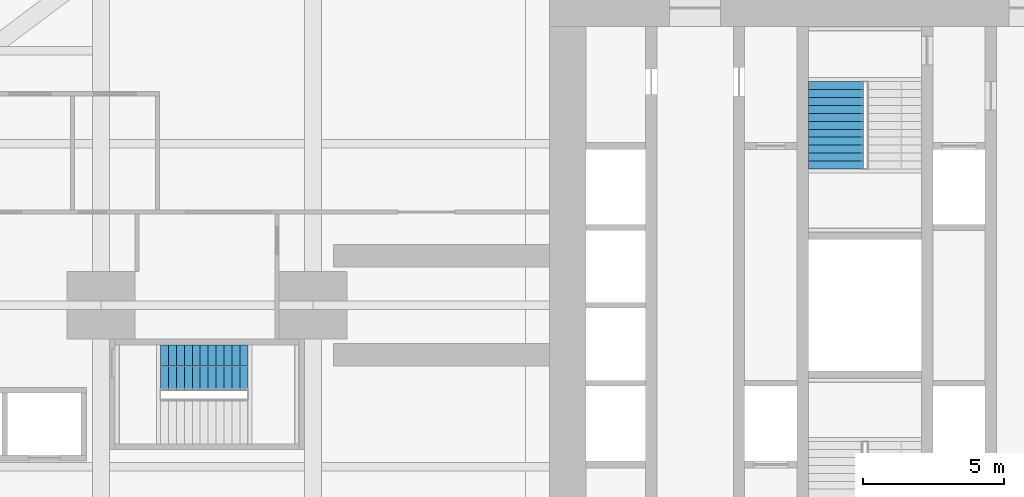
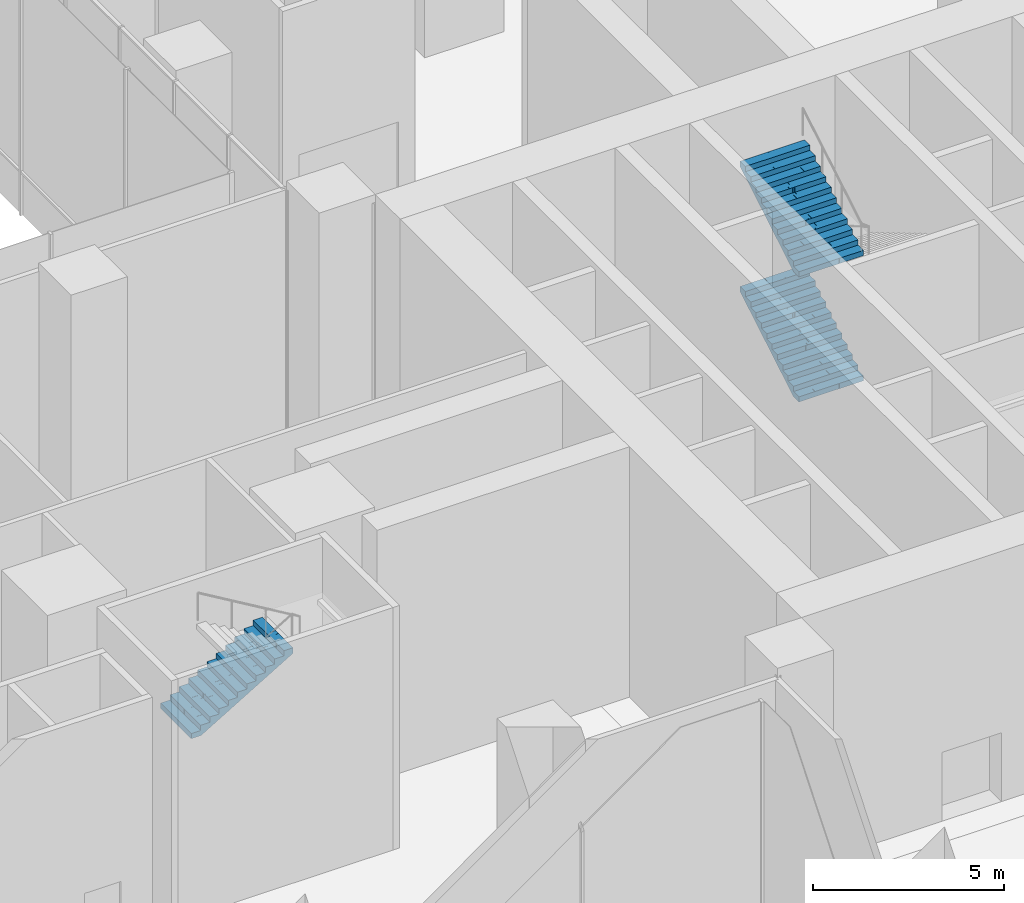
# One storey, part 22 of 25: 3 stair flights, 2 elements without a shape of their own.
"""IFC4 building model written with IfcOpenShell, lengths in metres."""

from ifc_helpers import new_model, si_unit, direction, frame, origin, place, context, subcontext, project, spatial, polyline, outline, extrude, material, type_object, element, aggregate, save


model = new_model("IFC4")

# Units and contexts
model_context = context("Model", 3, precision=1e-05, world=origin(), true_north=direction((0.0, 1.0)))
body_context = subcontext(model_context, "Body", "Model", "MODEL_VIEW")
ifc_project = project(units=[si_unit("LENGTHUNIT", "METRE"), si_unit("AREAUNIT", "SQUARE_METRE"), si_unit("VOLUMEUNIT", "CUBIC_METRE"), si_unit("PLANEANGLEUNIT", "RADIAN"), si_unit("MASSUNIT", "GRAM", prefix="KILO")], contexts=[model_context])

# Site, building, storey
site_placement = place(None, origin())
site = spatial("IfcSite", under=ifc_project, at=site_placement, CompositionType="ELEMENT")
building_placement = place(site_placement, origin())
building = spatial("IfcBuilding", under=site, at=building_placement, Name="Mizan Broadcast Tower", CompositionType="ELEMENT")
storey_placement = place(building_placement, frame((0.0, 0.0, 15.0)))
storey = spatial("IfcBuildingStorey", under=building, at=storey_placement, Name="L02", CompositionType="ELEMENT", Elevation=15.0)

# Stair, stair flights
ifc_material_1 = material(Name="Concrete C40/50", Category="concrete")
stair_type = type_object("IfcStairType", Name="EXIT STAIR", PredefinedType="HALF_TURN_STAIR", material=ifc_material_1)
stair_1_placement = place(storey_placement, origin())
stair_1 = element("IfcStair", 1, at=stair_1_placement, inside=storey, type_object=stair_type, Name="Stair B L02", PredefinedType="HALF_TURN_STAIR")
ifc_material_2 = material(Name="Concrete C40/50", Category="concrete")
stair_flight_type = type_object("IfcStairFlightType", Name="EXIT STAIR FLIGHT", PredefinedType="STRAIGHT", material=ifc_material_2)
stair_flight_1_placement = place(storey_placement, frame((-1.02490234375, 4.820068359375, 2.0), z_axis=(0.0, 0.0, 1.0), x_axis=(0.0, 1.0, 0.0)))
stair_flight_1 = element("IfcStairFlight", 2, at=stair_flight_1_placement, type_object=stair_flight_type, Name="B flight 2", NumberOfRisers=12, NumberOfTreads=11, PredefinedType="STRAIGHT", RiserHeight=0.166666667, TreadLength=0.28, context=body_context, shape_type="SweptSolid", body=[
    extrude(outline(polyline([(0.0, 0.0), (0.0, 0.166748046875), (0.280029296875, 0.166748046875), (0.280029296875, 0.333251953125), (0.56005859375, 0.333251953125), (0.56005859375, 0.5), (0.840087890625, 0.5), (0.840087890625, 0.666748046875), (1.1201171875, 0.666748046875), (1.1201171875, 0.833251953125), (1.39990234375, 0.833251953125), (1.39990234375, 1.0), (1.679931640625, 1.0), (1.679931640625, 1.166748046875), (1.9599609375, 1.166748046875), (1.9599609375, 1.333251953125), (2.239990234375, 1.333251953125), (2.239990234375, 1.5), (2.52001953125, 1.5), (2.52001953125, 1.666748046875), (2.800048828125, 1.666748046875), (2.800048828125, 1.833251953125), (3.080078125, 1.833251953125), (3.080078125, 2.0), (3.080078125, 1.658935546875), (0.29296875, 0.0), (0.0, 0.0)])), frame((0.0, 0.97509765625, 0.0), z_axis=(0.0, -1.0, 0.0), x_axis=(1.0, 0.0, 0.0)), (0.0, 0.0, 1.0), 0.4873046875),
    extrude(outline(polyline([(0.0, 0.0), (0.0, 0.166748046875), (0.280029296875, 0.166748046875), (0.280029296875, 0.333251953125), (0.56005859375, 0.333251953125), (0.56005859375, 0.5), (0.840087890625, 0.5), (0.840087890625, 0.666748046875), (1.1201171875, 0.666748046875), (1.1201171875, 0.833251953125), (1.39990234375, 0.833251953125), (1.39990234375, 1.0), (1.679931640625, 1.0), (1.679931640625, 1.166748046875), (1.9599609375, 1.166748046875), (1.9599609375, 1.333251953125), (2.239990234375, 1.333251953125), (2.239990234375, 1.5), (2.52001953125, 1.5), (2.52001953125, 1.666748046875), (2.800048828125, 1.666748046875), (2.800048828125, 1.833251953125), (3.080078125, 1.833251953125), (3.080078125, 2.0), (3.080078125, 1.658935546875), (0.29296875, 0.0), (0.0, 0.0)])), frame((0.0, 0.4873046875, 0.0), z_axis=(0.0, -1.0, 0.0), x_axis=(1.0, 0.0, 0.0)), (0.0, 0.0, 1.0), 0.2431640625),
    extrude(outline(polyline([(0.0, 0.0), (0.0, 0.166748046875), (0.280029296875, 0.166748046875), (0.280029296875, 0.333251953125), (0.56005859375, 0.333251953125), (0.56005859375, 0.5), (0.840087890625, 0.5), (0.840087890625, 0.666748046875), (1.1201171875, 0.666748046875), (1.1201171875, 0.833251953125), (1.39990234375, 0.833251953125), (1.39990234375, 1.0), (1.679931640625, 1.0), (1.679931640625, 1.166748046875), (1.9599609375, 1.166748046875), (1.9599609375, 1.333251953125), (2.239990234375, 1.333251953125), (2.239990234375, 1.5), (2.52001953125, 1.5), (2.52001953125, 1.666748046875), (2.800048828125, 1.666748046875), (2.800048828125, 1.833251953125), (3.080078125, 1.833251953125), (3.080078125, 2.0), (3.080078125, 1.658935546875), (0.29296875, 0.0), (0.0, 0.0)])), frame((0.0, 0.24365234375, 0.0), z_axis=(0.0, -1.0, 0.0), x_axis=(1.0, 0.0, 0.0)), (0.0, 0.0, 1.0), 0.121337890625),
    extrude(outline(polyline([(0.0, 0.0), (0.0, 0.166748046875), (0.280029296875, 0.166748046875), (0.280029296875, 0.333251953125), (0.56005859375, 0.333251953125), (0.56005859375, 0.5), (0.840087890625, 0.5), (0.840087890625, 0.666748046875), (1.1201171875, 0.666748046875), (1.1201171875, 0.833251953125), (1.39990234375, 0.833251953125), (1.39990234375, 1.0), (1.679931640625, 1.0), (1.679931640625, 1.166748046875), (1.9599609375, 1.166748046875), (1.9599609375, 1.333251953125), (2.239990234375, 1.333251953125), (2.239990234375, 1.5), (2.52001953125, 1.5), (2.52001953125, 1.666748046875), (2.800048828125, 1.666748046875), (2.800048828125, 1.833251953125), (3.080078125, 1.833251953125), (3.080078125, 2.0), (3.080078125, 1.658935546875), (0.29296875, 0.0), (0.0, 0.0)])), frame((0.0, 0.121826171875, 0.0), z_axis=(0.0, -1.0, 0.0), x_axis=(1.0, 0.0, 0.0)), (0.0, 0.0, 1.0), 0.060546875),
    extrude(outline(polyline([(0.0, 0.0), (0.0, 0.166748046875), (0.280029296875, 0.166748046875), (0.280029296875, 0.333251953125), (0.56005859375, 0.333251953125), (0.56005859375, 0.5), (0.840087890625, 0.5), (0.840087890625, 0.666748046875), (1.1201171875, 0.666748046875), (1.1201171875, 0.833251953125), (1.39990234375, 0.833251953125), (1.39990234375, 1.0), (1.679931640625, 1.0), (1.679931640625, 1.166748046875), (1.9599609375, 1.166748046875), (1.9599609375, 1.333251953125), (2.239990234375, 1.333251953125), (2.239990234375, 1.5), (2.52001953125, 1.5), (2.52001953125, 1.666748046875), (2.800048828125, 1.666748046875), (2.800048828125, 1.833251953125), (3.080078125, 1.833251953125), (3.080078125, 2.0), (3.080078125, 1.658935546875), (0.29296875, 0.0), (0.0, 0.0)])), frame((0.0, 0.060791015625, 0.0), z_axis=(0.0, -1.0, 0.0), x_axis=(1.0, 0.0, 0.0)), (0.0, 0.0, 1.0), 0.030029296875),
    extrude(outline(polyline([(0.0, 0.0), (0.0, 0.166748046875), (0.280029296875, 0.166748046875), (0.280029296875, 0.333251953125), (0.56005859375, 0.333251953125), (0.56005859375, 0.5), (0.840087890625, 0.5), (0.840087890625, 0.666748046875), (1.1201171875, 0.666748046875), (1.1201171875, 0.833251953125), (1.39990234375, 0.833251953125), (1.39990234375, 1.0), (1.679931640625, 1.0), (1.679931640625, 1.166748046875), (1.9599609375, 1.166748046875), (1.9599609375, 1.333251953125), (2.239990234375, 1.333251953125), (2.239990234375, 1.5), (2.52001953125, 1.5), (2.52001953125, 1.666748046875), (2.800048828125, 1.666748046875), (2.800048828125, 1.833251953125), (3.080078125, 1.833251953125), (3.080078125, 2.0), (3.080078125, 1.658935546875), (0.29296875, 0.0), (0.0, 0.0)])), frame((0.0, 0.0302734375, 0.0), z_axis=(0.0, -1.0, 0.0), x_axis=(1.0, 0.0, 0.0)), (0.0, 0.0, 1.0), 0.060302734375),
    extrude(outline(polyline([(0.0, 0.0), (0.0, 0.166748046875), (0.280029296875, 0.166748046875), (0.280029296875, 0.333251953125), (0.56005859375, 0.333251953125), (0.56005859375, 0.5), (0.840087890625, 0.5), (0.840087890625, 0.666748046875), (1.1201171875, 0.666748046875), (1.1201171875, 0.833251953125), (1.39990234375, 0.833251953125), (1.39990234375, 1.0), (1.679931640625, 1.0), (1.679931640625, 1.166748046875), (1.9599609375, 1.166748046875), (1.9599609375, 1.333251953125), (2.239990234375, 1.333251953125), (2.239990234375, 1.5), (2.52001953125, 1.5), (2.52001953125, 1.666748046875), (2.800048828125, 1.666748046875), (2.800048828125, 1.833251953125), (3.080078125, 1.833251953125), (3.080078125, 2.0), (3.080078125, 1.658935546875), (0.29296875, 0.0), (0.0, 0.0)])), frame((0.0, -0.030517578125, 0.0), z_axis=(0.0, -1.0, 0.0), x_axis=(1.0, 0.0, 0.0)), (0.0, 0.0, 1.0), 0.030029296875),
    extrude(outline(polyline([(0.0, 0.0), (0.0, 0.166748046875), (0.280029296875, 0.166748046875), (0.280029296875, 0.333251953125), (0.56005859375, 0.333251953125), (0.56005859375, 0.5), (0.840087890625, 0.5), (0.840087890625, 0.666748046875), (1.1201171875, 0.666748046875), (1.1201171875, 0.833251953125), (1.39990234375, 0.833251953125), (1.39990234375, 1.0), (1.679931640625, 1.0), (1.679931640625, 1.166748046875), (1.9599609375, 1.166748046875), (1.9599609375, 1.333251953125), (2.239990234375, 1.333251953125), (2.239990234375, 1.5), (2.52001953125, 1.5), (2.52001953125, 1.666748046875), (2.800048828125, 1.666748046875), (2.800048828125, 1.833251953125), (3.080078125, 1.833251953125), (3.080078125, 2.0), (3.080078125, 1.658935546875), (0.29296875, 0.0), (0.0, 0.0)])), frame((0.0, -0.06103515625, 0.0), z_axis=(0.0, -1.0, 0.0), x_axis=(1.0, 0.0, 0.0)), (0.0, 0.0, 1.0), 0.060546875),
    extrude(outline(polyline([(0.0, 0.0), (0.0, 0.166748046875), (0.280029296875, 0.166748046875), (0.280029296875, 0.333251953125), (0.56005859375, 0.333251953125), (0.56005859375, 0.5), (0.840087890625, 0.5), (0.840087890625, 0.666748046875), (1.1201171875, 0.666748046875), (1.1201171875, 0.833251953125), (1.39990234375, 0.833251953125), (1.39990234375, 1.0), (1.679931640625, 1.0), (1.679931640625, 1.166748046875), (1.9599609375, 1.166748046875), (1.9599609375, 1.333251953125), (2.239990234375, 1.333251953125), (2.239990234375, 1.5), (2.52001953125, 1.5), (2.52001953125, 1.666748046875), (2.800048828125, 1.666748046875), (2.800048828125, 1.833251953125), (3.080078125, 1.833251953125), (3.080078125, 2.0), (3.080078125, 1.658935546875), (0.29296875, 0.0), (0.0, 0.0)])), frame((0.0, -0.1220703125, 0.0), z_axis=(0.0, -1.0, 0.0), x_axis=(1.0, 0.0, 0.0)), (0.0, 0.0, 1.0), 0.121337890625),
    extrude(outline(polyline([(0.0, 0.0), (0.0, 0.166748046875), (0.280029296875, 0.166748046875), (0.280029296875, 0.333251953125), (0.56005859375, 0.333251953125), (0.56005859375, 0.5), (0.840087890625, 0.5), (0.840087890625, 0.666748046875), (1.1201171875, 0.666748046875), (1.1201171875, 0.833251953125), (1.39990234375, 0.833251953125), (1.39990234375, 1.0), (1.679931640625, 1.0), (1.679931640625, 1.166748046875), (1.9599609375, 1.166748046875), (1.9599609375, 1.333251953125), (2.239990234375, 1.333251953125), (2.239990234375, 1.5), (2.52001953125, 1.5), (2.52001953125, 1.666748046875), (2.800048828125, 1.666748046875), (2.800048828125, 1.833251953125), (3.080078125, 1.833251953125), (3.080078125, 2.0), (3.080078125, 1.658935546875), (0.29296875, 0.0), (0.0, 0.0)])), frame((0.0, -0.243896484375, 0.0), z_axis=(0.0, -1.0, 0.0), x_axis=(1.0, 0.0, 0.0)), (0.0, 0.0, 1.0), 0.2431640625),
    extrude(outline(polyline([(0.0, 0.0), (0.0, 0.166748046875), (0.280029296875, 0.166748046875), (0.280029296875, 0.333251953125), (0.56005859375, 0.333251953125), (0.56005859375, 0.5), (0.840087890625, 0.5), (0.840087890625, 0.666748046875), (1.1201171875, 0.666748046875), (1.1201171875, 0.833251953125), (1.39990234375, 0.833251953125), (1.39990234375, 1.0), (1.679931640625, 1.0), (1.679931640625, 1.166748046875), (1.9599609375, 1.166748046875), (1.9599609375, 1.333251953125), (2.239990234375, 1.333251953125), (2.239990234375, 1.5), (2.52001953125, 1.5), (2.52001953125, 1.666748046875), (2.800048828125, 1.666748046875), (2.800048828125, 1.833251953125), (3.080078125, 1.833251953125), (3.080078125, 2.0), (3.080078125, 1.658935546875), (0.29296875, 0.0), (0.0, 0.0)])), frame((0.0, -0.487548828125, 0.0), z_axis=(0.0, -1.0, 0.0), x_axis=(1.0, 0.0, 0.0)), (0.0, 0.0, 1.0), 0.4873046875),
])
stair_flight_2_placement = place(storey_placement, frame((-1.02490234375, 4.820068359375, 6.0), z_axis=(0.0, 0.0, 1.0), x_axis=(0.0, 1.0, 0.0)))
stair_flight_2 = element("IfcStairFlight", 3, at=stair_flight_2_placement, type_object=stair_flight_type, Name="B flight 4", NumberOfRisers=12, NumberOfTreads=11, PredefinedType="STRAIGHT", RiserHeight=0.166666667, TreadLength=0.28, context=body_context, shape_type="SweptSolid", body=[
    extrude(outline(polyline([(0.0, 0.0), (0.0, 0.166748046875), (0.280029296875, 0.166748046875), (0.280029296875, 0.333251953125), (0.56005859375, 0.333251953125), (0.56005859375, 0.5), (0.840087890625, 0.5), (0.840087890625, 0.666748046875), (1.1201171875, 0.666748046875), (1.1201171875, 0.833251953125), (1.39990234375, 0.833251953125), (1.39990234375, 1.0), (1.679931640625, 1.0), (1.679931640625, 1.166748046875), (1.9599609375, 1.166748046875), (1.9599609375, 1.333251953125), (2.239990234375, 1.333251953125), (2.239990234375, 1.5), (2.52001953125, 1.5), (2.52001953125, 1.666748046875), (2.800048828125, 1.666748046875), (2.800048828125, 1.833251953125), (3.080078125, 1.833251953125), (3.080078125, 2.0), (3.080078125, 1.658935546875), (0.29296875, 0.0), (0.0, 0.0)])), frame((0.0, 0.97509765625, 0.0), z_axis=(0.0, -1.0, 0.0), x_axis=(1.0, 0.0, 0.0)), (0.0, 0.0, 1.0), 0.4873046875),
    extrude(outline(polyline([(0.0, 0.0), (0.0, 0.166748046875), (0.280029296875, 0.166748046875), (0.280029296875, 0.333251953125), (0.56005859375, 0.333251953125), (0.56005859375, 0.5), (0.840087890625, 0.5), (0.840087890625, 0.666748046875), (1.1201171875, 0.666748046875), (1.1201171875, 0.833251953125), (1.39990234375, 0.833251953125), (1.39990234375, 1.0), (1.679931640625, 1.0), (1.679931640625, 1.166748046875), (1.9599609375, 1.166748046875), (1.9599609375, 1.333251953125), (2.239990234375, 1.333251953125), (2.239990234375, 1.5), (2.52001953125, 1.5), (2.52001953125, 1.666748046875), (2.800048828125, 1.666748046875), (2.800048828125, 1.833251953125), (3.080078125, 1.833251953125), (3.080078125, 2.0), (3.080078125, 1.658935546875), (0.29296875, 0.0), (0.0, 0.0)])), frame((0.0, 0.4873046875, 0.0), z_axis=(0.0, -1.0, 0.0), x_axis=(1.0, 0.0, 0.0)), (0.0, 0.0, 1.0), 0.2431640625),
    extrude(outline(polyline([(0.0, 0.0), (0.0, 0.166748046875), (0.280029296875, 0.166748046875), (0.280029296875, 0.333251953125), (0.56005859375, 0.333251953125), (0.56005859375, 0.5), (0.840087890625, 0.5), (0.840087890625, 0.666748046875), (1.1201171875, 0.666748046875), (1.1201171875, 0.833251953125), (1.39990234375, 0.833251953125), (1.39990234375, 1.0), (1.679931640625, 1.0), (1.679931640625, 1.166748046875), (1.9599609375, 1.166748046875), (1.9599609375, 1.333251953125), (2.239990234375, 1.333251953125), (2.239990234375, 1.5), (2.52001953125, 1.5), (2.52001953125, 1.666748046875), (2.800048828125, 1.666748046875), (2.800048828125, 1.833251953125), (3.080078125, 1.833251953125), (3.080078125, 2.0), (3.080078125, 1.658935546875), (0.29296875, 0.0), (0.0, 0.0)])), frame((0.0, 0.24365234375, 0.0), z_axis=(0.0, -1.0, 0.0), x_axis=(1.0, 0.0, 0.0)), (0.0, 0.0, 1.0), 0.121337890625),
    extrude(outline(polyline([(0.0, 0.0), (0.0, 0.166748046875), (0.280029296875, 0.166748046875), (0.280029296875, 0.333251953125), (0.56005859375, 0.333251953125), (0.56005859375, 0.5), (0.840087890625, 0.5), (0.840087890625, 0.666748046875), (1.1201171875, 0.666748046875), (1.1201171875, 0.833251953125), (1.39990234375, 0.833251953125), (1.39990234375, 1.0), (1.679931640625, 1.0), (1.679931640625, 1.166748046875), (1.9599609375, 1.166748046875), (1.9599609375, 1.333251953125), (2.239990234375, 1.333251953125), (2.239990234375, 1.5), (2.52001953125, 1.5), (2.52001953125, 1.666748046875), (2.800048828125, 1.666748046875), (2.800048828125, 1.833251953125), (3.080078125, 1.833251953125), (3.080078125, 2.0), (3.080078125, 1.658935546875), (0.29296875, 0.0), (0.0, 0.0)])), frame((0.0, 0.121826171875, 0.0), z_axis=(0.0, -1.0, 0.0), x_axis=(1.0, 0.0, 0.0)), (0.0, 0.0, 1.0), 0.060546875),
    extrude(outline(polyline([(0.0, 0.0), (0.0, 0.166748046875), (0.280029296875, 0.166748046875), (0.280029296875, 0.333251953125), (0.56005859375, 0.333251953125), (0.56005859375, 0.5), (0.840087890625, 0.5), (0.840087890625, 0.666748046875), (1.1201171875, 0.666748046875), (1.1201171875, 0.833251953125), (1.39990234375, 0.833251953125), (1.39990234375, 1.0), (1.679931640625, 1.0), (1.679931640625, 1.166748046875), (1.9599609375, 1.166748046875), (1.9599609375, 1.333251953125), (2.239990234375, 1.333251953125), (2.239990234375, 1.5), (2.52001953125, 1.5), (2.52001953125, 1.666748046875), (2.800048828125, 1.666748046875), (2.800048828125, 1.833251953125), (3.080078125, 1.833251953125), (3.080078125, 2.0), (3.080078125, 1.658935546875), (0.29296875, 0.0), (0.0, 0.0)])), frame((0.0, 0.060791015625, 0.0), z_axis=(0.0, -1.0, 0.0), x_axis=(1.0, 0.0, 0.0)), (0.0, 0.0, 1.0), 0.030029296875),
    extrude(outline(polyline([(0.0, 0.0), (0.0, 0.166748046875), (0.280029296875, 0.166748046875), (0.280029296875, 0.333251953125), (0.56005859375, 0.333251953125), (0.56005859375, 0.5), (0.840087890625, 0.5), (0.840087890625, 0.666748046875), (1.1201171875, 0.666748046875), (1.1201171875, 0.833251953125), (1.39990234375, 0.833251953125), (1.39990234375, 1.0), (1.679931640625, 1.0), (1.679931640625, 1.166748046875), (1.9599609375, 1.166748046875), (1.9599609375, 1.333251953125), (2.239990234375, 1.333251953125), (2.239990234375, 1.5), (2.52001953125, 1.5), (2.52001953125, 1.666748046875), (2.800048828125, 1.666748046875), (2.800048828125, 1.833251953125), (3.080078125, 1.833251953125), (3.080078125, 2.0), (3.080078125, 1.658935546875), (0.29296875, 0.0), (0.0, 0.0)])), frame((0.0, 0.0302734375, 0.0), z_axis=(0.0, -1.0, 0.0), x_axis=(1.0, 0.0, 0.0)), (0.0, 0.0, 1.0), 0.060302734375),
    extrude(outline(polyline([(0.0, 0.0), (0.0, 0.166748046875), (0.280029296875, 0.166748046875), (0.280029296875, 0.333251953125), (0.56005859375, 0.333251953125), (0.56005859375, 0.5), (0.840087890625, 0.5), (0.840087890625, 0.666748046875), (1.1201171875, 0.666748046875), (1.1201171875, 0.833251953125), (1.39990234375, 0.833251953125), (1.39990234375, 1.0), (1.679931640625, 1.0), (1.679931640625, 1.166748046875), (1.9599609375, 1.166748046875), (1.9599609375, 1.333251953125), (2.239990234375, 1.333251953125), (2.239990234375, 1.5), (2.52001953125, 1.5), (2.52001953125, 1.666748046875), (2.800048828125, 1.666748046875), (2.800048828125, 1.833251953125), (3.080078125, 1.833251953125), (3.080078125, 2.0), (3.080078125, 1.658935546875), (0.29296875, 0.0), (0.0, 0.0)])), frame((0.0, -0.030517578125, 0.0), z_axis=(0.0, -1.0, 0.0), x_axis=(1.0, 0.0, 0.0)), (0.0, 0.0, 1.0), 0.030029296875),
    extrude(outline(polyline([(0.0, 0.0), (0.0, 0.166748046875), (0.280029296875, 0.166748046875), (0.280029296875, 0.333251953125), (0.56005859375, 0.333251953125), (0.56005859375, 0.5), (0.840087890625, 0.5), (0.840087890625, 0.666748046875), (1.1201171875, 0.666748046875), (1.1201171875, 0.833251953125), (1.39990234375, 0.833251953125), (1.39990234375, 1.0), (1.679931640625, 1.0), (1.679931640625, 1.166748046875), (1.9599609375, 1.166748046875), (1.9599609375, 1.333251953125), (2.239990234375, 1.333251953125), (2.239990234375, 1.5), (2.52001953125, 1.5), (2.52001953125, 1.666748046875), (2.800048828125, 1.666748046875), (2.800048828125, 1.833251953125), (3.080078125, 1.833251953125), (3.080078125, 2.0), (3.080078125, 1.658935546875), (0.29296875, 0.0), (0.0, 0.0)])), frame((0.0, -0.06103515625, 0.0), z_axis=(0.0, -1.0, 0.0), x_axis=(1.0, 0.0, 0.0)), (0.0, 0.0, 1.0), 0.060546875),
    extrude(outline(polyline([(0.0, 0.0), (0.0, 0.166748046875), (0.280029296875, 0.166748046875), (0.280029296875, 0.333251953125), (0.56005859375, 0.333251953125), (0.56005859375, 0.5), (0.840087890625, 0.5), (0.840087890625, 0.666748046875), (1.1201171875, 0.666748046875), (1.1201171875, 0.833251953125), (1.39990234375, 0.833251953125), (1.39990234375, 1.0), (1.679931640625, 1.0), (1.679931640625, 1.166748046875), (1.9599609375, 1.166748046875), (1.9599609375, 1.333251953125), (2.239990234375, 1.333251953125), (2.239990234375, 1.5), (2.52001953125, 1.5), (2.52001953125, 1.666748046875), (2.800048828125, 1.666748046875), (2.800048828125, 1.833251953125), (3.080078125, 1.833251953125), (3.080078125, 2.0), (3.080078125, 1.658935546875), (0.29296875, 0.0), (0.0, 0.0)])), frame((0.0, -0.1220703125, 0.0), z_axis=(0.0, -1.0, 0.0), x_axis=(1.0, 0.0, 0.0)), (0.0, 0.0, 1.0), 0.121337890625),
    extrude(outline(polyline([(0.0, 0.0), (0.0, 0.166748046875), (0.280029296875, 0.166748046875), (0.280029296875, 0.333251953125), (0.56005859375, 0.333251953125), (0.56005859375, 0.5), (0.840087890625, 0.5), (0.840087890625, 0.666748046875), (1.1201171875, 0.666748046875), (1.1201171875, 0.833251953125), (1.39990234375, 0.833251953125), (1.39990234375, 1.0), (1.679931640625, 1.0), (1.679931640625, 1.166748046875), (1.9599609375, 1.166748046875), (1.9599609375, 1.333251953125), (2.239990234375, 1.333251953125), (2.239990234375, 1.5), (2.52001953125, 1.5), (2.52001953125, 1.666748046875), (2.800048828125, 1.666748046875), (2.800048828125, 1.833251953125), (3.080078125, 1.833251953125), (3.080078125, 2.0), (3.080078125, 1.658935546875), (0.29296875, 0.0), (0.0, 0.0)])), frame((0.0, -0.243896484375, 0.0), z_axis=(0.0, -1.0, 0.0), x_axis=(1.0, 0.0, 0.0)), (0.0, 0.0, 1.0), 0.2431640625),
    extrude(outline(polyline([(0.0, 0.0), (0.0, 0.166748046875), (0.280029296875, 0.166748046875), (0.280029296875, 0.333251953125), (0.56005859375, 0.333251953125), (0.56005859375, 0.5), (0.840087890625, 0.5), (0.840087890625, 0.666748046875), (1.1201171875, 0.666748046875), (1.1201171875, 0.833251953125), (1.39990234375, 0.833251953125), (1.39990234375, 1.0), (1.679931640625, 1.0), (1.679931640625, 1.166748046875), (1.9599609375, 1.166748046875), (1.9599609375, 1.333251953125), (2.239990234375, 1.333251953125), (2.239990234375, 1.5), (2.52001953125, 1.5), (2.52001953125, 1.666748046875), (2.800048828125, 1.666748046875), (2.800048828125, 1.833251953125), (3.080078125, 1.833251953125), (3.080078125, 2.0), (3.080078125, 1.658935546875), (0.29296875, 0.0), (0.0, 0.0)])), frame((0.0, -0.487548828125, 0.0), z_axis=(0.0, -1.0, 0.0), x_axis=(1.0, 0.0, 0.0)), (0.0, 0.0, 1.0), 0.4873046875),
])
aggregate(stair_1, [stair_flight_1, stair_flight_2])

# Stair, stair flight
stair_2_placement = place(storey_placement, origin())
stair_2 = element("IfcStair", 4, at=stair_2_placement, inside=storey, type_object=stair_type, Name="Stair D L02", PredefinedType="HALF_TURN_STAIR")
stair_flight_3_placement = place(storey_placement, frame((-24.889892578125, -2.205078125, 4.0), z_axis=(0.0, 0.0, 1.0), x_axis=(1.0, 0.0, 0.0)))
stair_flight_3 = element("IfcStairFlight", 5, at=stair_flight_3_placement, type_object=stair_flight_type, Name="D flight 3", NumberOfRisers=12, NumberOfTreads=11, PredefinedType="STRAIGHT", RiserHeight=0.166666667, TreadLength=0.28, context=body_context, shape_type="SweptSolid", body=[
    extrude(outline(polyline([(0.0, 0.0), (0.0, 0.166748046875), (0.280029296875, 0.166748046875), (0.280029296875, 0.333251953125), (0.56005859375, 0.333251953125), (0.56005859375, 0.5), (0.840087890625, 0.5), (0.840087890625, 0.666748046875), (1.1201171875, 0.666748046875), (1.1201171875, 0.833251953125), (1.39990234375, 0.833251953125), (1.39990234375, 1.0), (1.679931640625, 1.0), (1.679931640625, 1.166748046875), (1.9599609375, 1.166748046875), (1.9599609375, 1.333251953125), (2.239990234375, 1.333251953125), (2.239990234375, 1.5), (2.52001953125, 1.5), (2.52001953125, 1.666748046875), (2.800048828125, 1.666748046875), (2.800048828125, 1.833251953125), (3.080078125, 1.833251953125), (3.080078125, 2.0), (3.080078125, 1.658935546875), (0.29296875, 0.0), (0.0, 0.0)])), frame((0.0, 0.80517578125, 0.0), z_axis=(0.0, -1.0, 0.0), x_axis=(1.0, 0.0, 0.0)), (0.0, 0.0, 1.0), 0.40234375),
    extrude(outline(polyline([(0.0, 0.0), (0.0, 0.166748046875), (0.280029296875, 0.166748046875), (0.280029296875, 0.333251953125), (0.56005859375, 0.333251953125), (0.56005859375, 0.5), (0.840087890625, 0.5), (0.840087890625, 0.666748046875), (1.1201171875, 0.666748046875), (1.1201171875, 0.833251953125), (1.39990234375, 0.833251953125), (1.39990234375, 1.0), (1.679931640625, 1.0), (1.679931640625, 1.166748046875), (1.9599609375, 1.166748046875), (1.9599609375, 1.333251953125), (2.239990234375, 1.333251953125), (2.239990234375, 1.5), (2.52001953125, 1.5), (2.52001953125, 1.666748046875), (2.800048828125, 1.666748046875), (2.800048828125, 1.833251953125), (3.080078125, 1.833251953125), (3.080078125, 2.0), (3.080078125, 1.658935546875), (0.29296875, 0.0), (0.0, 0.0)])), frame((0.0, 0.40234375, 0.0), z_axis=(0.0, -1.0, 0.0), x_axis=(1.0, 0.0, 0.0)), (0.0, 0.0, 1.0), 0.20068359375),
    extrude(outline(polyline([(0.0, 0.0), (0.0, 0.166748046875), (0.280029296875, 0.166748046875), (0.280029296875, 0.333251953125), (0.56005859375, 0.333251953125), (0.56005859375, 0.5), (0.840087890625, 0.5), (0.840087890625, 0.666748046875), (1.1201171875, 0.666748046875), (1.1201171875, 0.833251953125), (1.39990234375, 0.833251953125), (1.39990234375, 1.0), (1.679931640625, 1.0), (1.679931640625, 1.166748046875), (1.9599609375, 1.166748046875), (1.9599609375, 1.333251953125), (2.239990234375, 1.333251953125), (2.239990234375, 1.5), (2.52001953125, 1.5), (2.52001953125, 1.666748046875), (2.800048828125, 1.666748046875), (2.800048828125, 1.833251953125), (3.080078125, 1.833251953125), (3.080078125, 2.0), (3.080078125, 1.658935546875), (0.29296875, 0.0), (0.0, 0.0)])), frame((0.0, 0.201171875, 0.0), z_axis=(0.0, -1.0, 0.0), x_axis=(1.0, 0.0, 0.0)), (0.0, 0.0, 1.0), 0.10009765625),
    extrude(outline(polyline([(0.0, 0.0), (0.0, 0.166748046875), (0.280029296875, 0.166748046875), (0.280029296875, 0.333251953125), (0.56005859375, 0.333251953125), (0.56005859375, 0.5), (0.840087890625, 0.5), (0.840087890625, 0.666748046875), (1.1201171875, 0.666748046875), (1.1201171875, 0.833251953125), (1.39990234375, 0.833251953125), (1.39990234375, 1.0), (1.679931640625, 1.0), (1.679931640625, 1.166748046875), (1.9599609375, 1.166748046875), (1.9599609375, 1.333251953125), (2.239990234375, 1.333251953125), (2.239990234375, 1.5), (2.52001953125, 1.5), (2.52001953125, 1.666748046875), (2.800048828125, 1.666748046875), (2.800048828125, 1.833251953125), (3.080078125, 1.833251953125), (3.080078125, 2.0), (3.080078125, 1.658935546875), (0.29296875, 0.0), (0.0, 0.0)])), frame((0.0, 0.1005859375, 0.0), z_axis=(0.0, -1.0, 0.0), x_axis=(1.0, 0.0, 0.0)), (0.0, 0.0, 1.0), 0.0498046875),
    extrude(outline(polyline([(0.0, 0.0), (0.0, 0.166748046875), (0.280029296875, 0.166748046875), (0.280029296875, 0.333251953125), (0.56005859375, 0.333251953125), (0.56005859375, 0.5), (0.840087890625, 0.5), (0.840087890625, 0.666748046875), (1.1201171875, 0.666748046875), (1.1201171875, 0.833251953125), (1.39990234375, 0.833251953125), (1.39990234375, 1.0), (1.679931640625, 1.0), (1.679931640625, 1.166748046875), (1.9599609375, 1.166748046875), (1.9599609375, 1.333251953125), (2.239990234375, 1.333251953125), (2.239990234375, 1.5), (2.52001953125, 1.5), (2.52001953125, 1.666748046875), (2.800048828125, 1.666748046875), (2.800048828125, 1.833251953125), (3.080078125, 1.833251953125), (3.080078125, 2.0), (3.080078125, 1.658935546875), (0.29296875, 0.0), (0.0, 0.0)])), frame((0.0, 0.05029296875, 0.0), z_axis=(0.0, -1.0, 0.0), x_axis=(1.0, 0.0, 0.0)), (0.0, 0.0, 1.0), 0.024658203125),
    extrude(outline(polyline([(0.0, 0.0), (0.0, 0.166748046875), (0.280029296875, 0.166748046875), (0.280029296875, 0.333251953125), (0.56005859375, 0.333251953125), (0.56005859375, 0.5), (0.840087890625, 0.5), (0.840087890625, 0.666748046875), (1.1201171875, 0.666748046875), (1.1201171875, 0.833251953125), (1.39990234375, 0.833251953125), (1.39990234375, 1.0), (1.679931640625, 1.0), (1.679931640625, 1.166748046875), (1.9599609375, 1.166748046875), (1.9599609375, 1.333251953125), (2.239990234375, 1.333251953125), (2.239990234375, 1.5), (2.52001953125, 1.5), (2.52001953125, 1.666748046875), (2.800048828125, 1.666748046875), (2.800048828125, 1.833251953125), (3.080078125, 1.833251953125), (3.080078125, 2.0), (3.080078125, 1.658935546875), (0.29296875, 0.0), (0.0, 0.0)])), frame((0.0, 0.025146484375, 0.0), z_axis=(0.0, -1.0, 0.0), x_axis=(1.0, 0.0, 0.0)), (0.0, 0.0, 1.0), 0.050048828125),
    extrude(outline(polyline([(0.0, 0.0), (0.0, 0.166748046875), (0.280029296875, 0.166748046875), (0.280029296875, 0.333251953125), (0.56005859375, 0.333251953125), (0.56005859375, 0.5), (0.840087890625, 0.5), (0.840087890625, 0.666748046875), (1.1201171875, 0.666748046875), (1.1201171875, 0.833251953125), (1.39990234375, 0.833251953125), (1.39990234375, 1.0), (1.679931640625, 1.0), (1.679931640625, 1.166748046875), (1.9599609375, 1.166748046875), (1.9599609375, 1.333251953125), (2.239990234375, 1.333251953125), (2.239990234375, 1.5), (2.52001953125, 1.5), (2.52001953125, 1.666748046875), (2.800048828125, 1.666748046875), (2.800048828125, 1.833251953125), (3.080078125, 1.833251953125), (3.080078125, 2.0), (3.080078125, 1.658935546875), (0.29296875, 0.0), (0.0, 0.0)])), frame((0.0, -0.025390625, 0.0), z_axis=(0.0, -1.0, 0.0), x_axis=(1.0, 0.0, 0.0)), (0.0, 0.0, 1.0), 0.024658203125),
    extrude(outline(polyline([(0.0, 0.0), (0.0, 0.166748046875), (0.280029296875, 0.166748046875), (0.280029296875, 0.333251953125), (0.56005859375, 0.333251953125), (0.56005859375, 0.5), (0.840087890625, 0.5), (0.840087890625, 0.666748046875), (1.1201171875, 0.666748046875), (1.1201171875, 0.833251953125), (1.39990234375, 0.833251953125), (1.39990234375, 1.0), (1.679931640625, 1.0), (1.679931640625, 1.166748046875), (1.9599609375, 1.166748046875), (1.9599609375, 1.333251953125), (2.239990234375, 1.333251953125), (2.239990234375, 1.5), (2.52001953125, 1.5), (2.52001953125, 1.666748046875), (2.800048828125, 1.666748046875), (2.800048828125, 1.833251953125), (3.080078125, 1.833251953125), (3.080078125, 2.0), (3.080078125, 1.658935546875), (0.29296875, 0.0), (0.0, 0.0)])), frame((0.0, -0.050537109375, 0.0), z_axis=(0.0, -1.0, 0.0), x_axis=(1.0, 0.0, 0.0)), (0.0, 0.0, 1.0), 0.0498046875),
    extrude(outline(polyline([(0.0, 0.0), (0.0, 0.166748046875), (0.280029296875, 0.166748046875), (0.280029296875, 0.333251953125), (0.56005859375, 0.333251953125), (0.56005859375, 0.5), (0.840087890625, 0.5), (0.840087890625, 0.666748046875), (1.1201171875, 0.666748046875), (1.1201171875, 0.833251953125), (1.39990234375, 0.833251953125), (1.39990234375, 1.0), (1.679931640625, 1.0), (1.679931640625, 1.166748046875), (1.9599609375, 1.166748046875), (1.9599609375, 1.333251953125), (2.239990234375, 1.333251953125), (2.239990234375, 1.5), (2.52001953125, 1.5), (2.52001953125, 1.666748046875), (2.800048828125, 1.666748046875), (2.800048828125, 1.833251953125), (3.080078125, 1.833251953125), (3.080078125, 2.0), (3.080078125, 1.658935546875), (0.29296875, 0.0), (0.0, 0.0)])), frame((0.0, -0.100830078125, 0.0), z_axis=(0.0, -1.0, 0.0), x_axis=(1.0, 0.0, 0.0)), (0.0, 0.0, 1.0), 0.10009765625),
    extrude(outline(polyline([(0.0, 0.0), (0.0, 0.166748046875), (0.280029296875, 0.166748046875), (0.280029296875, 0.333251953125), (0.56005859375, 0.333251953125), (0.56005859375, 0.5), (0.840087890625, 0.5), (0.840087890625, 0.666748046875), (1.1201171875, 0.666748046875), (1.1201171875, 0.833251953125), (1.39990234375, 0.833251953125), (1.39990234375, 1.0), (1.679931640625, 1.0), (1.679931640625, 1.166748046875), (1.9599609375, 1.166748046875), (1.9599609375, 1.333251953125), (2.239990234375, 1.333251953125), (2.239990234375, 1.5), (2.52001953125, 1.5), (2.52001953125, 1.666748046875), (2.800048828125, 1.666748046875), (2.800048828125, 1.833251953125), (3.080078125, 1.833251953125), (3.080078125, 2.0), (3.080078125, 1.658935546875), (0.29296875, 0.0), (0.0, 0.0)])), frame((0.0, -0.201416015625, 0.0), z_axis=(0.0, -1.0, 0.0), x_axis=(1.0, 0.0, 0.0)), (0.0, 0.0, 1.0), 0.20068359375),
    extrude(outline(polyline([(0.0, 0.0), (0.0, 0.166748046875), (0.280029296875, 0.166748046875), (0.280029296875, 0.333251953125), (0.56005859375, 0.333251953125), (0.56005859375, 0.5), (0.840087890625, 0.5), (0.840087890625, 0.666748046875), (1.1201171875, 0.666748046875), (1.1201171875, 0.833251953125), (1.39990234375, 0.833251953125), (1.39990234375, 1.0), (1.679931640625, 1.0), (1.679931640625, 1.166748046875), (1.9599609375, 1.166748046875), (1.9599609375, 1.333251953125), (2.239990234375, 1.333251953125), (2.239990234375, 1.5), (2.52001953125, 1.5), (2.52001953125, 1.666748046875), (2.800048828125, 1.666748046875), (2.800048828125, 1.833251953125), (3.080078125, 1.833251953125), (3.080078125, 2.0), (3.080078125, 1.658935546875), (0.29296875, 0.0), (0.0, 0.0)])), frame((0.0, -0.402587890625, 0.0), z_axis=(0.0, -1.0, 0.0), x_axis=(1.0, 0.0, 0.0)), (0.0, 0.0, 1.0), 0.40234375),
])
aggregate(stair_2, [stair_flight_3])

save(model, "model.ifc")
